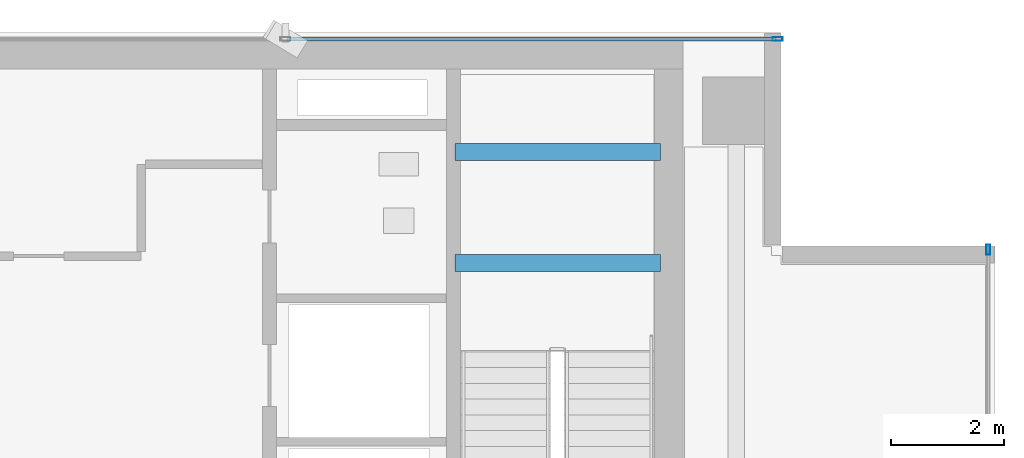
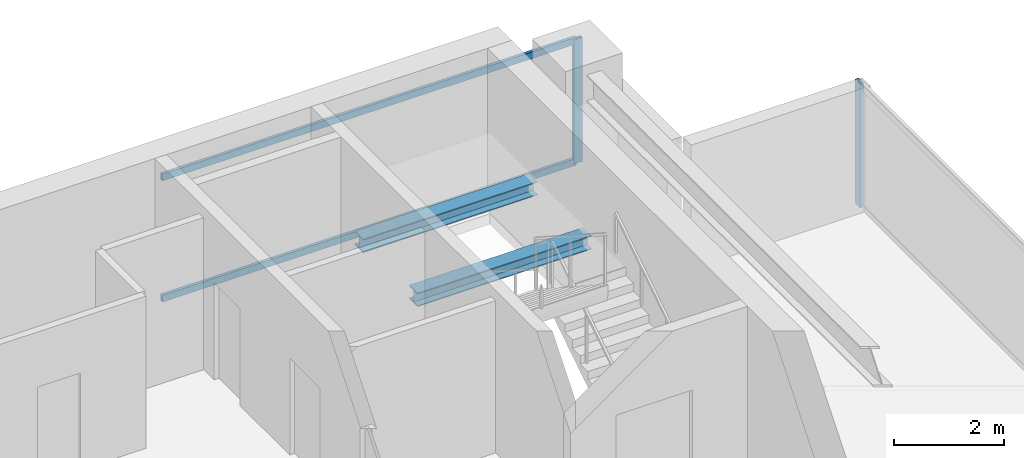
# One storey, part 13 of 22: 4 members, 2 beams, 2 elements without a shape of their own.
"""IFC4 building model written with IfcOpenShell, lengths in metres."""

from ifc_helpers import new_model, si_unit, direction, frame, origin, origin_2d, place, context, subcontext, project, spatial, hollow_rectangle, i_section, extrude, source, transform, mapped, material, layer, layer_set, material_profile, profile_set, type_object, element, aggregate, save


model = new_model("IFC4")

# Units and contexts
model_context = context("Model", 3, precision=1e-05, world=origin(), true_north=direction((0.0, 1.0)))
body_context = subcontext(model_context, "Body", "Model", "MODEL_VIEW")
ifc_project = project(units=[si_unit("LENGTHUNIT", "METRE"), si_unit("AREAUNIT", "SQUARE_METRE"), si_unit("VOLUMEUNIT", "CUBIC_METRE"), si_unit("PLANEANGLEUNIT", "RADIAN"), si_unit("MASSUNIT", "GRAM", prefix="KILO")], contexts=[model_context])

# Site, building, storey
site_placement = place(None, origin())
site = spatial("IfcSite", under=ifc_project, at=site_placement, CompositionType="ELEMENT")
building_placement = place(site_placement, origin())
building = spatial("IfcBuilding", under=site, at=building_placement, Name="Sumidabori Civic Tower", CompositionType="ELEMENT")
storey_placement = place(building_placement, frame((0.0, 0.0, 286.39990234375)))
storey = spatial("IfcBuildingStorey", under=building, at=storey_placement, Name="L75", CompositionType="ELEMENT", Elevation=286.39990234375)

# Beams
ifc_material_1 = material(Name="Steel SN490", Category="steel")
ifc_material_profile_1 = material_profile(ifc_material_1, i_section(OverallWidth=0.300048828125, OverallDepth=0.300048828125, WebThickness=0.010986328125, FlangeThickness=0.01904296875, at=origin_2d()), Name="HE 300 B")
ifc_profile_set_1 = profile_set([ifc_material_profile_1], Name="Steel SN490")
beam_type = type_object("IfcBeamType", Name="BM-LDG-300", PredefinedType="BEAM", material=ifc_profile_set_1)
shared_shape_1 = source(origin(), body_context, "Body", "SweptSolid", [
    extrude(i_section(OverallWidth=0.300048828125, OverallDepth=0.300048828125, WebThickness=0.010986328125, FlangeThickness=0.01904296875, at=origin_2d()), origin(), (0.0, 0.0, 1.0), 3.64990234375),
])
for number, where, z_axis, x_axis, name in (
    (1, (11.800048828125, 20.09765625, 1.4501953125), (1.0, 0.0, 0.0), (0.0, 1.0, 0.0), "Stair ST-2 Landing Support Beam L75-1A"),
    (2, (11.800048828125, 22.069580078125, 1.4501953125), (1.0, 0.0, 0.0), (0.0, 1.0, 0.0), "Stair ST-2 Landing Trimmer Beam L75-1B"),
):
    element("IfcBeam", number, at=place(storey_placement, frame(where, z_axis=z_axis, x_axis=x_axis)), inside=storey, type_object=beam_type, Name=name, PredefinedType="BEAM", context=body_context, shape_type="MappedRepresentation", body=[
        mapped(shared_shape_1, transform((0.0, 0.0, 0.0), x_axis=(1.0, 0.0, 0.0), y_axis=(0.0, 1.0, 0.0), z_axis=(0.0, 0.0, 1.0), scale=1.0)),
    ])

# Curtain wall, member
ifc_material_2 = material(Name="Anodised Bronze Aluminium AW-6063-T6", Category="aluminium")
ifc_layer = layer(ifc_material_2, 0.179931640625, Name="Anodised Bronze Aluminium AW-6063-T6")
ifc_layer_set = layer_set([ifc_layer], Name="Anodised Bronze Aluminium AW-6063-T6")
curtain_wall_type = type_object("IfcCurtainWallType", Name="CW-SYS-6", PredefinedType="NOTDEFINED", material=ifc_layer_set)
curtain_wall_1_placement = place(storey_placement, origin())
curtain_wall_1 = element("IfcCurtainWall", 3, at=curtain_wall_1_placement, inside=storey, type_object=curtain_wall_type, Name="Curtain Wall CW:L75:R04", PredefinedType="NOTDEFINED")
ifc_material_profile_2 = material_profile(ifc_material_2, hollow_rectangle(XDim=0.070068359375, YDim=0.179931640625, WallThickness=0.006103515625, at=origin_2d()), Name="ALU MULLION 180x70")
ifc_profile_set_2 = profile_set([ifc_material_profile_2], Name="Anodised Bronze Aluminium AW-6063-T6")
member_type_1 = type_object("IfcMemberType", Name="CW-MUL-180", PredefinedType="MULLION", material=ifc_profile_set_2)
shared_shape_2 = source(origin(), body_context, "Body", "SweptSolid", [
    extrude(hollow_rectangle(XDim=0.070068359375, YDim=0.179931640625, WallThickness=0.006103515625, at=origin_2d()), origin(), (0.0, 0.0, 1.0), 2.75),
])
member_1_placement = place(storey_placement, frame((21.280029296875, 20.3349609375, 0.0), z_axis=(0.0, 0.0, 1.0), x_axis=(-1.0, 0.0, 0.0)))
member_1 = element("IfcMember", 4, at=member_1_placement, type_object=member_type_1, Name="CW-6 mullion 5", PredefinedType="MULLION", context=body_context, shape_type="MappedRepresentation", body=[
    mapped(shared_shape_2, transform((0.0, 0.0, 0.0), x_axis=(1.0, 0.0, 0.0), y_axis=(0.0, 1.0, 0.0), z_axis=(0.0, 0.0, 1.0), scale=1.0)),
])
aggregate(curtain_wall_1, [member_1])

# Curtain wall, members
curtain_wall_2_placement = place(storey_placement, origin())
curtain_wall_2 = element("IfcCurtainWall", 5, at=curtain_wall_2_placement, inside=storey, type_object=curtain_wall_type, Name="Curtain Wall CW:L75:R07", PredefinedType="NOTDEFINED")
member_2_placement = place(storey_placement, frame((17.534912109375, 24.080078125, 0.0), z_axis=(0.0, 0.0, 1.0), x_axis=(0.0, -1.0, 0.0)))
member_2 = element("IfcMember", 6, at=member_2_placement, type_object=member_type_1, Name="CW-6 mullion 1", PredefinedType="MULLION", context=body_context, shape_type="MappedRepresentation", body=[
    mapped(shared_shape_2, transform((0.0, 0.0, 0.0), x_axis=(1.0, 0.0, 0.0), y_axis=(0.0, 1.0, 0.0), z_axis=(0.0, 0.0, 1.0), scale=1.0)),
])
ifc_material_profile_3 = material_profile(ifc_material_2, hollow_rectangle(XDim=0.06494140625, YDim=0.14990234375, WallThickness=0.0048828125, at=origin_2d()), Name="ALU TRANSOM 150x65")
ifc_profile_set_3 = profile_set([ifc_material_profile_3], Name="Anodised Bronze Aluminium AW-6063-T6")
member_type_2 = type_object("IfcMemberType", Name="CW-TRN-150", PredefinedType="USERDEFINED", material=ifc_profile_set_3)
shared_shape_3 = source(origin(), body_context, "Body", "SweptSolid", [
    extrude(hollow_rectangle(XDim=0.06494140625, YDim=0.14990234375, WallThickness=0.0048828125, at=origin_2d()), origin(), (0.0, 0.0, 1.0), 8.679931640625),
])
member_3_placement = place(storey_placement, frame((17.5, 24.080078125, 0.03271484375), z_axis=(-1.0, 0.0, 0.0), x_axis=(0.0, -1.0, 0.0)))
member_3 = element("IfcMember", 7, at=member_3_placement, type_object=member_type_2, Name="CW-6 transom 1.1", ObjectType="TRANSOM", PredefinedType="USERDEFINED", context=body_context, shape_type="MappedRepresentation", body=[
    mapped(shared_shape_3, transform((0.0, 0.0, 0.0), x_axis=(1.0, 0.0, 0.0), y_axis=(0.0, 1.0, 0.0), z_axis=(0.0, 0.0, 1.0), scale=1.0)),
])
member_4_placement = place(storey_placement, frame((17.5, 24.080078125, 2.717529296875), z_axis=(-1.0, 0.0, 0.0), x_axis=(0.0, -1.0, 0.0)))
member_4 = element("IfcMember", 8, at=member_4_placement, type_object=member_type_2, Name="CW-6 transom 1.2", ObjectType="TRANSOM", PredefinedType="USERDEFINED", context=body_context, shape_type="MappedRepresentation", body=[
    mapped(shared_shape_3, transform((0.0, 0.0, 0.0), x_axis=(1.0, 0.0, 0.0), y_axis=(0.0, 1.0, 0.0), z_axis=(0.0, 0.0, 1.0), scale=1.0)),
])
aggregate(curtain_wall_2, [member_2, member_3, member_4])

save(model, "model.ifc")
